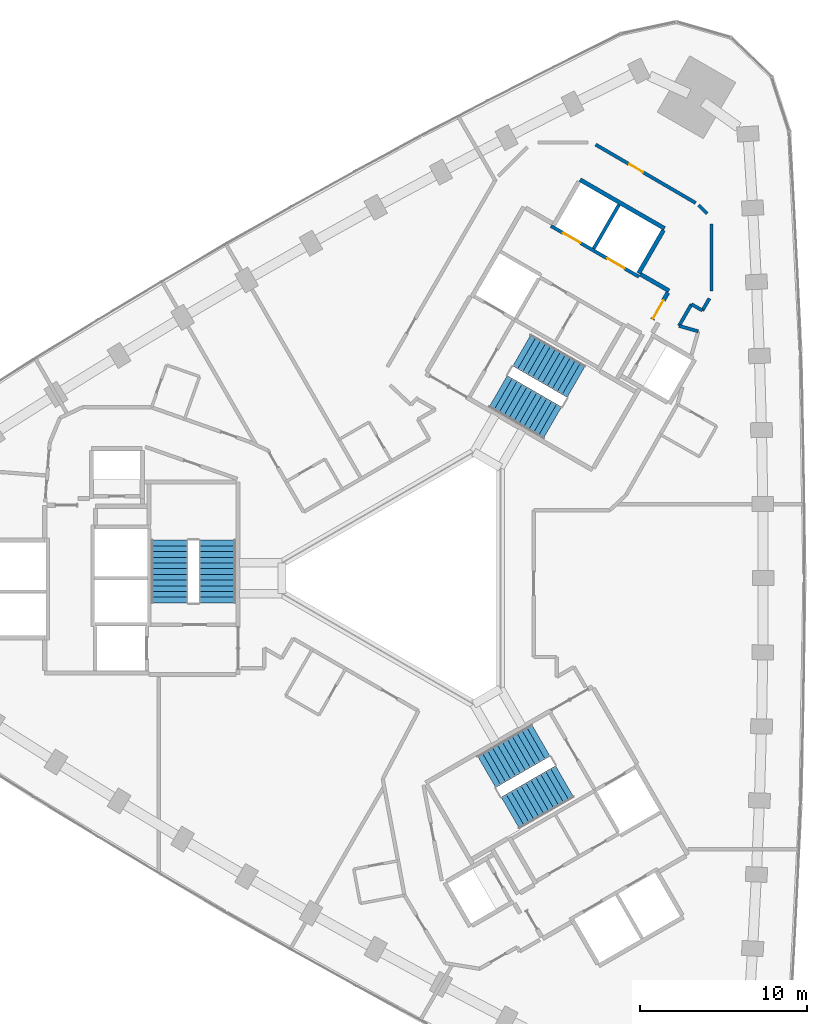
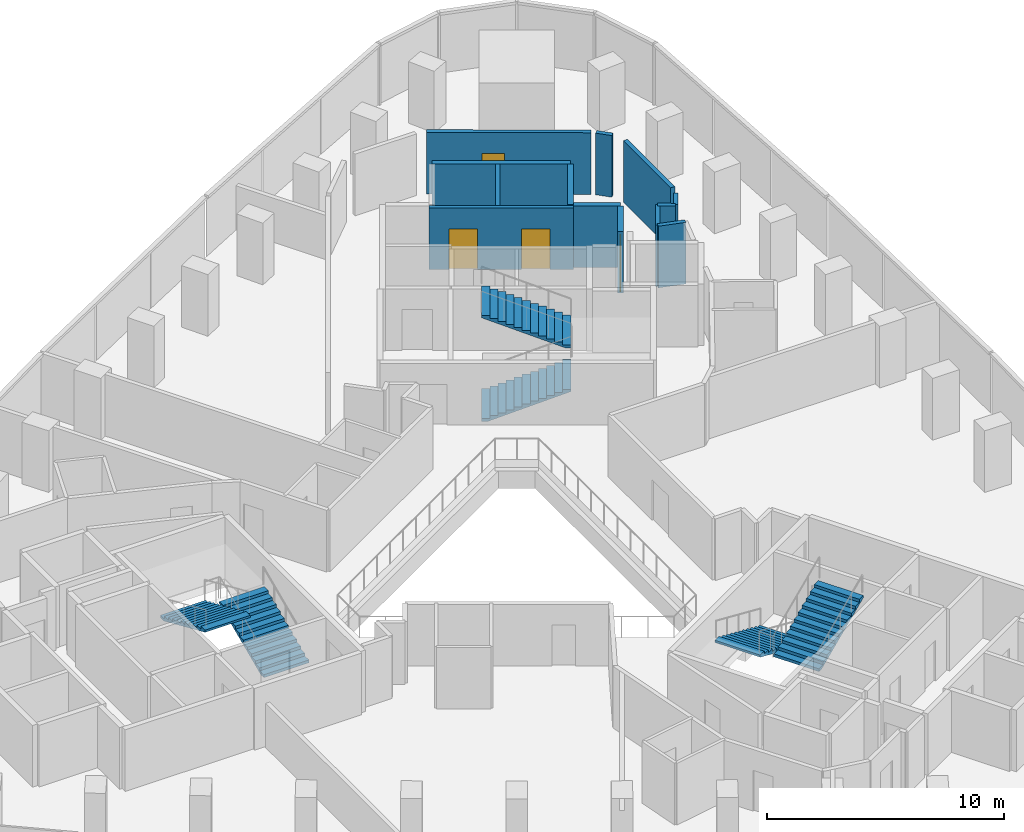
# One storey, part 11 of 12: 13 walls, 6 stair flights, 4 doors, 4 openings, 3 elements without a shape of their own.
"""IFC4 building model written with IfcOpenShell, lengths in metres."""

from ifc_helpers import new_model, si_unit, direction, frame, frame_2d, origin, place, context, subcontext, project, spatial, polyline, rectangle, outline, extrude, material, layer, layer_set, type_object, element, fill, aggregate, save


model = new_model("IFC4")

# Units and contexts
model_context = context("Model", 3, precision=1e-05, world=origin(), true_north=direction((0.0, 1.0)))
body_context = subcontext(model_context, "Body", "Model", "MODEL_VIEW")
ifc_project = project(units=[si_unit("LENGTHUNIT", "METRE"), si_unit("AREAUNIT", "SQUARE_METRE"), si_unit("VOLUMEUNIT", "CUBIC_METRE"), si_unit("PLANEANGLEUNIT", "RADIAN"), si_unit("MASSUNIT", "GRAM", prefix="KILO")], contexts=[model_context])

# Site, building, storey
site_placement = place(None, origin())
site = spatial("IfcSite", under=ifc_project, at=site_placement, CompositionType="ELEMENT")
building_placement = place(site_placement, origin())
building = spatial("IfcBuilding", under=site, at=building_placement, Name="Tamra Quay Hotel Tower", CompositionType="ELEMENT")
storey_placement = place(building_placement, frame((0.0, 0.0, 104.60009765625)))
storey = spatial("IfcBuildingStorey", under=building, at=storey_placement, Name="L25", CompositionType="ELEMENT", Elevation=104.60009765625)

# Wall, openings, doors
ifc_material_1 = material(Name="Concrete M70", Category="concrete")
ifc_layer_1 = layer(ifc_material_1, 0.199951171875)
ifc_layer_set_1 = layer_set([ifc_layer_1], Name="Concrete M70 core wall 200")
wall_type_1 = type_object("IfcWallType", Name="Concrete M70 core wall 200", PredefinedType="SHEAR", material=ifc_layer_set_1)
wall_1_placement = place(storey_placement, frame((13.209716796875, 18.07958984375, 0.0), z_axis=(0.0, 0.0, 1.0), x_axis=(-0.866030299012, 0.499991521122, 0.0)))
wall_1 = element("IfcWall", 1, at=wall_1_placement, inside=storey, type_object=wall_type_1, Name="CW2", PredefinedType="SHEAR", context=body_context, shape_type="SweptSolid", body=[
    extrude(rectangle(XDim=6.10009765625, YDim=0.199951171875, at=frame_2d((3.050048828125, 0.0))), origin(), (0.0, 0.0, 1.0), 3.1748046875),
])
opening_1_placement = place(wall_1_placement, frame((1.0, 0.0, 0.0)))
opening_1 = element("IfcOpeningElement", 2, at=opening_1_placement, cuts=wall_1, Name="Opening LD", PredefinedType="OPENING", context=body_context, shape_type="SweptSolid", body=[
    extrude(rectangle(XDim=1.199951171875, YDim=2.10009765625, at=frame_2d((0.60009765625, 1.050048828125))), frame((0.0, 0.10986328125, 0.0), z_axis=(0.0, -1.0, 0.0), x_axis=(1.0, 0.0, 0.0)), (0.0, 0.0, 1.0), 0.219970703125),
])
opening_2_placement = place(wall_1_placement, frame((4.05029296875, 0.0, 0.0)))
opening_2 = element("IfcOpeningElement", 3, at=opening_2_placement, cuts=wall_1, Name="Opening LD", PredefinedType="OPENING", context=body_context, shape_type="SweptSolid", body=[
    extrude(rectangle(XDim=1.199951171875, YDim=2.10009765625, at=frame_2d((0.60009765625, 1.050048828125))), frame((0.0, 0.10986328125, 0.0), z_axis=(0.0, -1.0, 0.0), x_axis=(1.0, 0.0, 0.0)), (0.0, 0.0, 1.0), 0.219970703125),
])
ifc_material_2 = material(Name="Landing door LD 1200 double door sliding")
door_type_1 = type_object("IfcDoorType", Name="Landing door LD 1200 double door sliding", OperationType="DOUBLE_DOOR_SLIDING", PredefinedType="DOOR", material=ifc_material_2)
door_1_placement = place(opening_1_placement, origin())
door_1 = element("IfcDoor", 4, at=door_1_placement, inside=storey, type_object=door_type_1, Name="LD", OperationType="DOUBLE_DOOR_SLIDING", OverallHeight=2.10009765625, OverallWidth=1.199951171875, PredefinedType="DOOR", context=body_context, shape_type="SweptSolid", body=[
    extrude(rectangle(XDim=1.199951171875, YDim=2.10009765625, at=frame_2d((0.60009765625, 1.050048828125))), frame((0.0, 0.02490234375, 0.0), z_axis=(0.0, -1.0, 0.0), x_axis=(1.0, 0.0, 0.0)), (0.0, 0.0, 1.0), 0.050048828125),
])
fill(opening_1, door_1)
door_2_placement = place(opening_2_placement, origin())
door_2 = element("IfcDoor", 5, at=door_2_placement, inside=storey, type_object=door_type_1, Name="LD", OperationType="DOUBLE_DOOR_SLIDING", OverallHeight=2.10009765625, OverallWidth=1.199951171875, PredefinedType="DOOR", context=body_context, shape_type="SweptSolid", body=[
    extrude(rectangle(XDim=1.199951171875, YDim=2.10009765625, at=frame_2d((0.60009765625, 1.050048828125))), frame((0.0, 0.02490234375, 0.0), z_axis=(0.0, -1.0, 0.0), x_axis=(1.0, 0.0, 0.0)), (0.0, 0.0, 1.0), 0.050048828125),
])
fill(opening_2, door_2)

# Walls
wall_2_placement = place(storey_placement, frame((10.48876953125, 19.76708984375, 0.0), z_axis=(0.0, 0.0, 1.0), x_axis=(0.499946628782, 0.866056215479, 0.0)))
element("IfcWall", 6, at=wall_2_placement, inside=storey, type_object=wall_type_1, Name="CW2", PredefinedType="SHEAR", context=body_context, shape_type="SweptSolid", body=[
    extrude(rectangle(XDim=3.048095703125, YDim=0.199951171875, at=frame_2d((1.52392578125, 0.0))), origin(), (0.0, 0.0, 1.0), 3.1748046875),
])
ifc_layer_2 = layer(ifc_material_1, 0.25)
ifc_layer_set_2 = layer_set([ifc_layer_2], Name="Concrete M70 core wall 250")
wall_type_2 = type_object("IfcWallType", Name="Concrete M70 core wall 250", PredefinedType="SHEAR", material=ifc_layer_set_2)
wall_3_placement = place(storey_placement, frame((9.672607421875, 23.9033203125, 0.0), z_axis=(0.0, 0.0, 1.0), x_axis=(0.86603616409, -0.499981362141, 0.0)))
element("IfcWall", 7, at=wall_3_placement, inside=storey, type_object=wall_type_2, Name="CW1", PredefinedType="SHEAR", context=body_context, shape_type="SweptSolid", body=[
    extrude(rectangle(XDim=5.849853515625, YDim=0.25, at=frame_2d((2.9248046875, 0.0))), origin(), (0.0, 0.0, 1.0), 3.1748046875),
])
wall_4_placement = place(storey_placement, frame((14.67626953125, 20.869873046875, 0.0), z_axis=(0.0, 0.0, 1.0), x_axis=(-0.499987686533, -0.866032512851, 0.0)))
element("IfcWall", 8, at=wall_4_placement, inside=storey, type_object=wall_type_2, Name="CW1", PredefinedType="SHEAR", context=body_context, shape_type="SweptSolid", body=[
    extrude(rectangle(XDim=2.974609375, YDim=0.25, at=frame_2d((1.4873046875, 0.0))), origin(), (0.0, 0.0, 1.0), 3.1748046875),
])
wall_5_placement = place(storey_placement, frame((13.29736328125, 18.23095703125, 0.0), z_axis=(0.0, 0.0, 1.0), x_axis=(0.866043531843, -0.499968599967, 0.0)))
element("IfcWall", 9, at=wall_5_placement, inside=storey, type_object=wall_type_2, Name="CW1", PredefinedType="SHEAR", context=body_context, shape_type="SweptSolid", body=[
    extrude(rectangle(XDim=1.974853515625, YDim=0.25, at=frame_2d((0.9873046875, 0.0))), origin(), (0.0, 0.0, 1.0), 3.1748046875),
])

# Wall, opening, door
wall_6_placement = place(storey_placement, frame((14.94482421875, 17.13525390625, 0.0), z_axis=(0.0, 0.0, 1.0), x_axis=(-0.499983108224, -0.866035156036, 0.0)))
wall_6 = element("IfcWall", 10, at=wall_6_placement, inside=storey, type_object=wall_type_2, Name="CW1", PredefinedType="SHEAR", context=body_context, shape_type="SweptSolid", body=[
    extrude(rectangle(XDim=1.86474609375, YDim=0.25, at=frame_2d((0.932373046875, 0.0))), origin(), (0.0, 0.0, 1.0), 3.1748046875),
])
opening_3_placement = place(wall_6_placement, frame((0.53466796875, 0.0, 0.0)))
opening_3 = element("IfcOpeningElement", 11, at=opening_3_placement, cuts=wall_6, Name="Opening FD3", PredefinedType="OPENING", context=body_context, shape_type="SweptSolid", body=[
    extrude(rectangle(XDim=1.25, YDim=2.10009765625, at=frame_2d((0.625, 1.050048828125))), frame((0.0, 0.135009765625, 0.0), z_axis=(0.0, -1.0, 0.0), x_axis=(1.0, 0.0, 0.0)), (0.0, 0.0, 1.0), 0.27001953125),
])
ifc_material_3 = material(Name="Core door FD3 1250x2100 LH")
door_type_2 = type_object("IfcDoorType", Name="Core door FD3 1250x2100 LH", OperationType="NOTDEFINED", PredefinedType="DOOR", material=ifc_material_3)
door_3_placement = place(opening_3_placement, origin())
door_3 = element("IfcDoor", 12, at=door_3_placement, inside=storey, type_object=door_type_2, Name="FD3", OperationType="SINGLE_SWING_LEFT", OverallHeight=2.10009765625, OverallWidth=1.25, PredefinedType="DOOR", context=body_context, shape_type="SweptSolid", body=[
    extrude(rectangle(XDim=1.25, YDim=2.10009765625, at=frame_2d((0.625, 1.050048828125))), frame((0.0, 0.02490234375, 0.0), z_axis=(0.0, -1.0, 0.0), x_axis=(1.0, 0.0, 0.0)), (0.0, 0.0, 1.0), 0.050048828125),
])
fill(opening_3, door_3)

ifc_material_4 = material(Name="Partition corridor wall")
ifc_layer_3 = layer(ifc_material_4, 0.199951171875)
ifc_layer_set_3 = layer_set([ifc_layer_3], Name="Partition corridor wall")
wall_type_3 = type_object("IfcWallType", Name="Partition corridor wall", PredefinedType="PARTITIONING", material=ifc_layer_set_3)
wall_7_placement = place(storey_placement, frame((10.60693359375, 26.010009765625, 0.0), z_axis=(0.0, 0.0, 1.0), x_axis=(0.863778900898, -0.503871025524, 0.0)))
wall_7 = element("IfcWall", 13, at=wall_7_placement, inside=storey, type_object=wall_type_3, Name="W-C", PredefinedType="PARTITIONING", context=body_context, shape_type="SweptSolid", body=[
    extrude(rectangle(XDim=6.9462890625, YDim=0.199951171875, at=frame_2d((3.47314453125, 0.0))), origin(), (0.0, 0.0, 1.0), 3.1748046875),
])
opening_4_placement = place(wall_7_placement, frame((2.35009765625, 0.0, 0.0)))
opening_4 = element("IfcOpeningElement", 14, at=opening_4_placement, cuts=wall_7, Name="Opening L25-D002", PredefinedType="OPENING", context=body_context, shape_type="SweptSolid", body=[
    extrude(rectangle(XDim=0.949951171875, YDim=2.10009765625, at=frame_2d((0.47509765625, 1.050048828125))), frame((0.0, 0.10986328125, 0.0), z_axis=(0.0, -1.0, 0.0), x_axis=(1.0, 0.0, 0.0)), (0.0, 0.0, 1.0), 0.219970703125),
])
ifc_material_5 = material(Name="Door guest room 950x2100")
door_type_3 = type_object("IfcDoorType", Name="Door guest room 950x2100", OperationType="NOTDEFINED", PredefinedType="DOOR", material=ifc_material_5)
door_4_placement = place(opening_4_placement, frame((0.949951171875, 0.0, 0.0), z_axis=(0.0, 0.0, 1.0), x_axis=(-1.0, 0.0, 0.0)))
door_4 = element("IfcDoor", 15, at=door_4_placement, inside=storey, type_object=door_type_3, Name="L25-D002", OperationType="SINGLE_SWING_LEFT", OverallHeight=2.10009765625, OverallWidth=0.949951171875, PredefinedType="DOOR", context=body_context, shape_type="SweptSolid", body=[
    extrude(rectangle(XDim=0.949951171875, YDim=2.10009765625, at=frame_2d((0.47509765625, 1.050048828125))), frame((0.0, 0.02490234375, 0.0), z_axis=(0.0, -1.0, 0.0), x_axis=(1.0, 0.0, 0.0)), (0.0, 0.0, 1.0), 0.050048828125),
])
fill(opening_4, door_4)

# Walls
wall_8_placement = place(storey_placement, frame((15.60888671875, 15.135986328125, 0.0), z_axis=(0.0, 0.0, 1.0), x_axis=(0.499501622561, 0.866312950993, 0.0)))
element("IfcWall", 16, at=wall_8_placement, inside=storey, type_object=wall_type_3, Name="W-C", PredefinedType="PARTITIONING", context=body_context, shape_type="SweptSolid", body=[
    extrude(rectangle(XDim=1.49951171875, YDim=0.199951171875, at=frame_2d((0.749755859375, 0.0))), origin(), (0.0, 0.0, 1.0), 3.1748046875),
])
wall_9_placement = place(storey_placement, frame((15.60888671875, 15.135986328125, 0.0), z_axis=(0.0, 0.0, 1.0), x_axis=(0.961662011825, -0.274237442763, 0.0)))
element("IfcWall", 17, at=wall_9_placement, inside=storey, type_object=wall_type_3, Name="W-C", PredefinedType="PARTITIONING", context=body_context, shape_type="SweptSolid", body=[
    extrude(rectangle(XDim=1.199951171875, YDim=0.199951171875, at=frame_2d((0.60009765625, 0.0))), origin(), (0.0, 0.0, 1.0), 3.1748046875),
])
wall_10_placement = place(storey_placement, frame((16.35791015625, 16.43505859375, 0.0), z_axis=(0.0, 0.0, 1.0), x_axis=(0.865470452227, -0.50095997477, 0.0)))
element("IfcWall", 18, at=wall_10_placement, inside=storey, type_object=wall_type_3, Name="W-C", PredefinedType="PARTITIONING", context=body_context, shape_type="SweptSolid", body=[
    extrude(rectangle(XDim=0.7568359375, YDim=0.199951171875, at=frame_2d((0.37841796875, 0.0))), origin(), (0.0, 0.0, 1.0), 3.1748046875),
])
wall_11_placement = place(storey_placement, frame((16.7890625, 22.368896484375, 0.0), z_axis=(0.0, 0.0, 1.0), x_axis=(0.707796304616, -0.706416584724, 0.0)))
element("IfcWall", 19, at=wall_11_placement, inside=storey, type_object=wall_type_3, Name="W-C", PredefinedType="PARTITIONING", context=body_context, shape_type="SweptSolid", body=[
    extrude(rectangle(XDim=0.707763671875, YDim=0.199951171875, at=frame_2d((0.35400390625, 0.0))), origin(), (0.0, 0.0, 1.0), 3.1748046875),
])
wall_12_placement = place(storey_placement, frame((17.012939453125, 16.055908203125, 0.0), z_axis=(0.0, 0.0, 1.0), x_axis=(0.500864178051, 0.865525895133, 0.0)))
element("IfcWall", 20, at=wall_12_placement, inside=storey, type_object=wall_type_3, Name="W-C", PredefinedType="PARTITIONING", context=body_context, shape_type="SweptSolid", body=[
    extrude(rectangle(XDim=0.8388671875, YDim=0.199951171875, at=frame_2d((0.41943359375, 0.0))), origin(), (0.0, 0.0, 1.0), 3.1748046875),
])
wall_13_placement = place(storey_placement, frame((17.553955078125, 17.23193359375, 0.0), z_axis=(0.0, 0.0, 1.0), x_axis=(0.0, 1.0, 0.0)))
element("IfcWall", 21, at=wall_13_placement, inside=storey, type_object=wall_type_3, Name="W-C", PredefinedType="PARTITIONING", context=body_context, shape_type="SweptSolid", body=[
    extrude(rectangle(XDim=4.0, YDim=0.199951171875, at=frame_2d((2.0, 0.0))), origin(), (0.0, 0.0, 1.0), 3.1748046875),
])

# Stair, stair flights
ifc_material_6 = material(Name="Exit stair 2200 24 risers 150.0 going 342")
stair_type = type_object("IfcStairType", Name="Exit stair 2200 24 risers 150.0 going 342", PredefinedType="HALF_TURN_STAIR", material=ifc_material_6)
stair_1_placement = place(storey_placement, origin())
stair_1 = element("IfcStair", 22, at=stair_1_placement, inside=storey, type_object=stair_type, Name="L25 Exit stair ST3", PredefinedType="HALF_TURN_STAIR")
ifc_material_7 = material(Name="Exit stair flight 2200 12 risers 150.0")
stair_flight_type = type_object("IfcStairFlightType", Name="Exit stair flight 2200 12 risers 150.0", PredefinedType="STRAIGHT", material=ifc_material_7)
stair_flight_1_placement = place(storey_placement, frame((-12.082275390625, -1.47998046875, 0.0), z_axis=(0.0, 0.0, 1.0), x_axis=(0.0, 1.0, 0.0)))
stair_flight_1 = element("IfcStairFlight", 23, at=stair_flight_1_placement, type_object=stair_flight_type, Name="ST3 flight 1", NumberOfRisers=12, NumberOfTreads=11, PredefinedType="STRAIGHT", RiserHeight=0.15, TreadLength=0.342, context=body_context, shape_type="SweptSolid", body=[
    extrude(outline(polyline([(0.0, 0.0), (0.0, 0.14990234375), (0.342041015625, 0.14990234375), (0.342041015625, 0.300048828125), (0.68408203125, 0.300048828125), (0.68408203125, 0.449951171875), (1.02587890625, 0.449951171875), (1.02587890625, 0.60009765625), (1.367919921875, 0.60009765625), (1.367919921875, 0.75), (1.7099609375, 0.75), (1.7099609375, 0.89990234375), (2.052001953125, 0.89990234375), (2.052001953125, 1.050048828125), (2.39404296875, 1.050048828125), (2.39404296875, 1.199951171875), (2.736083984375, 1.199951171875), (2.736083984375, 1.35009765625), (3.077880859375, 1.35009765625), (3.077880859375, 1.5), (3.419921875, 1.5), (3.419921875, 1.64990234375), (3.761962890625, 1.64990234375), (3.761962890625, 1.800048828125), (3.761962890625, 1.540771484375), (0.249267578125, 0.0), (0.0, 0.0)])), frame((0.0, 1.10009765625, 0.0), z_axis=(0.0, -1.0, 0.0), x_axis=(1.0, 0.0, 0.0)), (0.0, 0.0, 1.0), 2.199951171875),
])
stair_flight_2_placement = place(storey_placement, frame((-14.94140625, 2.281982421875, 1.7998046875), z_axis=(0.0, 0.0, 1.0), x_axis=(0.0, -1.0, 0.0)))
stair_flight_2 = element("IfcStairFlight", 24, at=stair_flight_2_placement, type_object=stair_flight_type, Name="ST3 flight 2", NumberOfRisers=12, NumberOfTreads=11, PredefinedType="STRAIGHT", RiserHeight=0.15, TreadLength=0.342, context=body_context, shape_type="SweptSolid", body=[
    extrude(outline(polyline([(0.0, 0.0), (0.0, 0.14990234375), (0.342041015625, 0.14990234375), (0.342041015625, 0.300048828125), (0.68408203125, 0.300048828125), (0.68408203125, 0.449951171875), (1.02587890625, 0.449951171875), (1.02587890625, 0.60009765625), (1.367919921875, 0.60009765625), (1.367919921875, 0.75), (1.7099609375, 0.75), (1.7099609375, 0.89990234375), (2.052001953125, 0.89990234375), (2.052001953125, 1.050048828125), (2.39404296875, 1.050048828125), (2.39404296875, 1.199951171875), (2.736083984375, 1.199951171875), (2.736083984375, 1.35009765625), (3.077880859375, 1.35009765625), (3.077880859375, 1.5), (3.419921875, 1.5), (3.419921875, 1.64990234375), (3.761962890625, 1.64990234375), (3.761962890625, 1.800048828125), (3.761962890625, 1.540771484375), (0.249267578125, 0.0), (0.0, 0.0)])), frame((0.0, 1.10009765625, 0.0), z_axis=(0.0, -1.0, 0.0), x_axis=(1.0, 0.0, 0.0)), (0.0, 0.0, 1.0), 2.199951171875),
])
aggregate(stair_1, [stair_flight_1, stair_flight_2])

stair_2_placement = place(storey_placement, origin())
stair_2 = element("IfcStair", 25, at=stair_2_placement, inside=storey, type_object=stair_type, Name="L25 Exit stair ST1", PredefinedType="HALF_TURN_STAIR")
stair_flight_3_placement = place(storey_placement, frame((4.75927734375, 11.20361328125, 0.0), z_axis=(0.0, 0.0, 1.0), x_axis=(0.866025403784, -0.5, 0.0)))
stair_flight_3 = element("IfcStairFlight", 26, at=stair_flight_3_placement, type_object=stair_flight_type, Name="ST1 flight 1", NumberOfRisers=12, NumberOfTreads=11, PredefinedType="STRAIGHT", RiserHeight=0.15, TreadLength=0.342, context=body_context, shape_type="SweptSolid", body=[
    extrude(outline(polyline([(0.0, 0.0), (0.0, 0.14990234375), (0.342041015625, 0.14990234375), (0.342041015625, 0.300048828125), (0.68408203125, 0.300048828125), (0.68408203125, 0.449951171875), (1.02587890625, 0.449951171875), (1.02587890625, 0.60009765625), (1.367919921875, 0.60009765625), (1.367919921875, 0.75), (1.7099609375, 0.75), (1.7099609375, 0.89990234375), (2.052001953125, 0.89990234375), (2.052001953125, 1.050048828125), (2.39404296875, 1.050048828125), (2.39404296875, 1.199951171875), (2.736083984375, 1.199951171875), (2.736083984375, 1.35009765625), (3.077880859375, 1.35009765625), (3.077880859375, 1.5), (3.419921875, 1.5), (3.419921875, 1.64990234375), (3.761962890625, 1.64990234375), (3.761962890625, 1.800048828125), (3.761962890625, 1.540771484375), (0.249267578125, 0.0), (0.0, 0.0)])), frame((0.0, 1.10009765625, 0.0), z_axis=(0.0, -1.0, 0.0), x_axis=(1.0, 0.0, 0.0)), (0.0, 0.0, 1.0), 2.199951171875),
])
stair_flight_4_placement = place(storey_placement, frame((9.44677734375, 11.798583984375, 1.7998046875), z_axis=(0.0, 0.0, 1.0), x_axis=(-0.866025403784, 0.5, 0.0)))
stair_flight_4 = element("IfcStairFlight", 27, at=stair_flight_4_placement, type_object=stair_flight_type, Name="ST1 flight 2", NumberOfRisers=12, NumberOfTreads=11, PredefinedType="STRAIGHT", RiserHeight=0.15, TreadLength=0.342, context=body_context, shape_type="SweptSolid", body=[
    extrude(outline(polyline([(0.0, 0.0), (0.0, 0.14990234375), (0.342041015625, 0.14990234375), (0.342041015625, 0.300048828125), (0.68408203125, 0.300048828125), (0.68408203125, 0.449951171875), (1.02587890625, 0.449951171875), (1.02587890625, 0.60009765625), (1.367919921875, 0.60009765625), (1.367919921875, 0.75), (1.7099609375, 0.75), (1.7099609375, 0.89990234375), (2.052001953125, 0.89990234375), (2.052001953125, 1.050048828125), (2.39404296875, 1.050048828125), (2.39404296875, 1.199951171875), (2.736083984375, 1.199951171875), (2.736083984375, 1.35009765625), (3.077880859375, 1.35009765625), (3.077880859375, 1.5), (3.419921875, 1.5), (3.419921875, 1.64990234375), (3.761962890625, 1.64990234375), (3.761962890625, 1.800048828125), (3.761962890625, 1.540771484375), (0.249267578125, 0.0), (0.0, 0.0)])), frame((0.0, 1.10009765625, 0.0), z_axis=(0.0, -1.0, 0.0), x_axis=(1.0, 0.0, 0.0)), (0.0, 0.0, 1.0), 2.199951171875),
])
aggregate(stair_2, [stair_flight_3, stair_flight_4])

stair_3_placement = place(storey_placement, origin())
stair_3 = element("IfcStair", 28, at=stair_3_placement, inside=storey, type_object=stair_type, Name="L25 Exit stair ST2", PredefinedType="HALF_TURN_STAIR")
stair_flight_5_placement = place(storey_placement, frame((7.322998046875, -9.7236328125, 0.0), z_axis=(0.0, 0.0, 1.0), x_axis=(-0.866025403784, -0.5, 0.0)))
stair_flight_5 = element("IfcStairFlight", 29, at=stair_flight_5_placement, type_object=stair_flight_type, Name="ST2 flight 1", NumberOfRisers=12, NumberOfTreads=11, PredefinedType="STRAIGHT", RiserHeight=0.15, TreadLength=0.342, context=body_context, shape_type="SweptSolid", body=[
    extrude(outline(polyline([(0.0, 0.0), (0.0, 0.14990234375), (0.342041015625, 0.14990234375), (0.342041015625, 0.300048828125), (0.68408203125, 0.300048828125), (0.68408203125, 0.449951171875), (1.02587890625, 0.449951171875), (1.02587890625, 0.60009765625), (1.367919921875, 0.60009765625), (1.367919921875, 0.75), (1.7099609375, 0.75), (1.7099609375, 0.89990234375), (2.052001953125, 0.89990234375), (2.052001953125, 1.050048828125), (2.39404296875, 1.050048828125), (2.39404296875, 1.199951171875), (2.736083984375, 1.199951171875), (2.736083984375, 1.35009765625), (3.077880859375, 1.35009765625), (3.077880859375, 1.5), (3.419921875, 1.5), (3.419921875, 1.64990234375), (3.761962890625, 1.64990234375), (3.761962890625, 1.800048828125), (3.761962890625, 1.540771484375), (0.249267578125, 0.0), (0.0, 0.0)])), frame((0.0, 1.10009765625, 0.0), z_axis=(0.0, -1.0, 0.0), x_axis=(1.0, 0.0, 0.0)), (0.0, 0.0, 1.0), 2.199951171875),
])
stair_flight_6_placement = place(storey_placement, frame((5.494384765625, -14.08056640625, 1.7998046875), z_axis=(0.0, 0.0, 1.0), x_axis=(0.866025403784, 0.5, 0.0)))
stair_flight_6 = element("IfcStairFlight", 30, at=stair_flight_6_placement, type_object=stair_flight_type, Name="ST2 flight 2", NumberOfRisers=12, NumberOfTreads=11, PredefinedType="STRAIGHT", RiserHeight=0.15, TreadLength=0.342, context=body_context, shape_type="SweptSolid", body=[
    extrude(outline(polyline([(0.0, 0.0), (0.0, 0.14990234375), (0.342041015625, 0.14990234375), (0.342041015625, 0.300048828125), (0.68408203125, 0.300048828125), (0.68408203125, 0.449951171875), (1.02587890625, 0.449951171875), (1.02587890625, 0.60009765625), (1.367919921875, 0.60009765625), (1.367919921875, 0.75), (1.7099609375, 0.75), (1.7099609375, 0.89990234375), (2.052001953125, 0.89990234375), (2.052001953125, 1.050048828125), (2.39404296875, 1.050048828125), (2.39404296875, 1.199951171875), (2.736083984375, 1.199951171875), (2.736083984375, 1.35009765625), (3.077880859375, 1.35009765625), (3.077880859375, 1.5), (3.419921875, 1.5), (3.419921875, 1.64990234375), (3.761962890625, 1.64990234375), (3.761962890625, 1.800048828125), (3.761962890625, 1.540771484375), (0.249267578125, 0.0), (0.0, 0.0)])), frame((0.0, 1.10009765625, 0.0), z_axis=(0.0, -1.0, 0.0), x_axis=(1.0, 0.0, 0.0)), (0.0, 0.0, 1.0), 2.199951171875),
])
aggregate(stair_3, [stair_flight_5, stair_flight_6])

save(model, "model.ifc")
